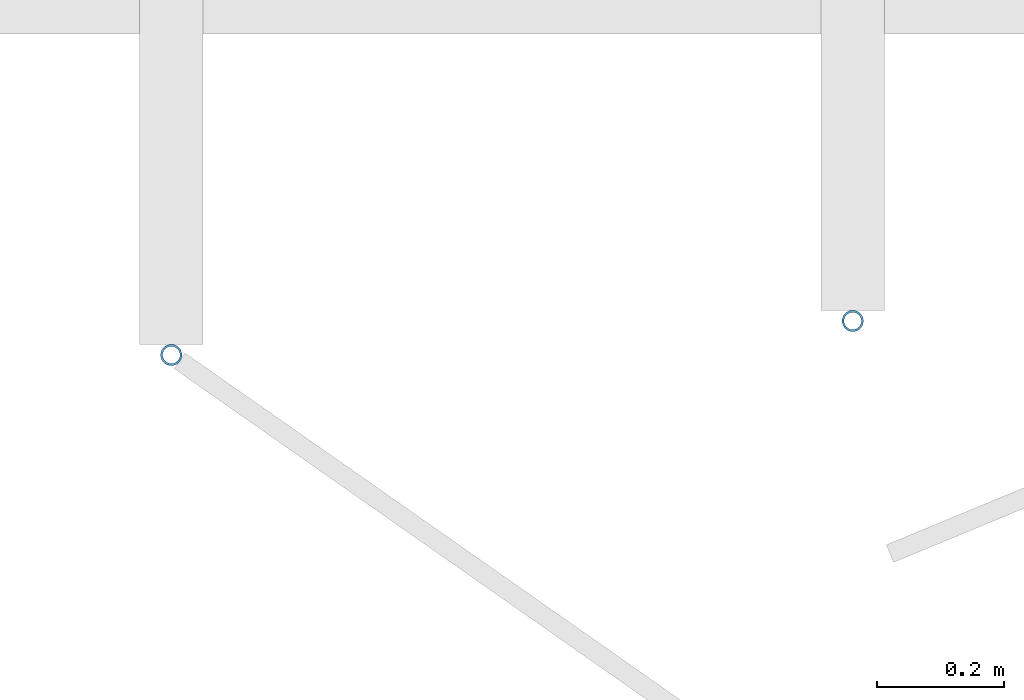
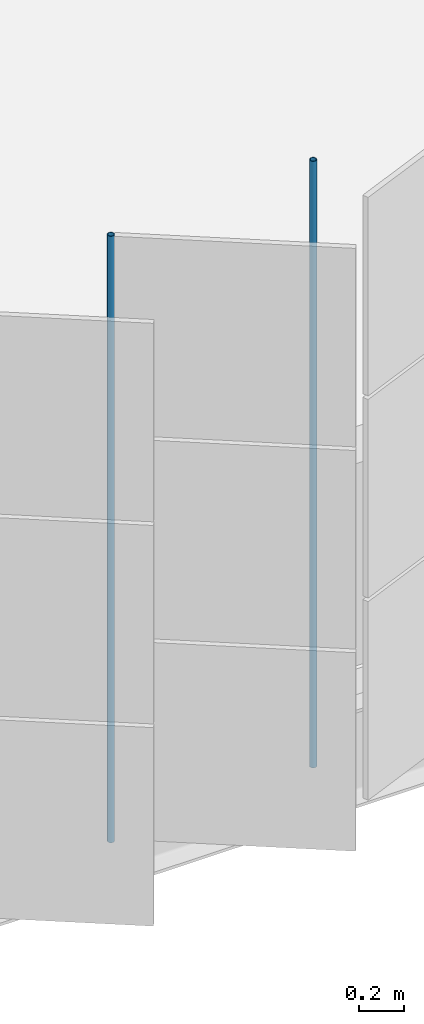
# One storey, part 72 of 199: 2 discrete accessories.
"""IFC4 building model written with IfcOpenShell, lengths in metres."""

from ifc_helpers import new_model, si_unit, direction, frame, origin, origin_2d, place, context, subcontext, project, spatial, hollow_circle, extrude, material, material_profile, profile_set, type_object, element, save


model = new_model("IFC4")

# Units and contexts
model_context = context("Model", 3, precision=1e-05, world=origin(), true_north=direction((0.0, 1.0)))
body_context = subcontext(model_context, "Body", "Model", "MODEL_VIEW")
ifc_project = project(units=[si_unit("LENGTHUNIT", "METRE"), si_unit("AREAUNIT", "SQUARE_METRE"), si_unit("VOLUMEUNIT", "CUBIC_METRE"), si_unit("PLANEANGLEUNIT", "RADIAN"), si_unit("MASSUNIT", "GRAM", prefix="KILO")], contexts=[model_context])

# Site, building, storey
site_placement = place(None, origin())
site = spatial("IfcSite", under=ifc_project, at=site_placement, CompositionType="ELEMENT")
building_placement = place(site_placement, origin())
building = spatial("IfcBuilding", under=site, at=building_placement, Name="Parallax Yard Mobility Hub", CompositionType="ELEMENT")
storey_placement = place(building_placement, frame((0.0, 0.0, 9.89990234375)))
storey = spatial("IfcBuildingStorey", under=building, at=storey_placement, Name="L03", CompositionType="ELEMENT", Elevation=9.89990234375)

# Discrete accessories
ifc_material = material(Name="Steel ASTM A500 Gr C, hot-dip galvanised", Category="steel")
ifc_material_profile = material_profile(ifc_material, hollow_circle(Radius=0.016845703125, WallThickness=0.003173828125, at=origin_2d()), Name="CHS 33.7x3.2")
ifc_profile_set = profile_set([ifc_material_profile], Name="Steel ASTM A500 Gr C, hot-dip galvanised")
discrete_accessory_type = type_object("IfcDiscreteAccessoryType", Name="Hinge post CHS 33.7x3.2", PredefinedType="BRACKET", material=ifc_profile_set)
for number, where, z_axis, x_axis, name in (
    (1, (38.557373046875, 111.89111328125, 0.0), (0.0, 0.0, 1.0), (1.0, 0.0, 0.0), "Hinge post bay 2.2 level L03"),
    (2, (39.62890625, 111.944580078125, 0.0), (0.0, 0.0, 1.0), (1.0, 0.0, 0.0), "Hinge post bay 2.3 level L03"),
):
    element("IfcDiscreteAccessory", number, at=place(storey_placement, frame(where, z_axis=z_axis, x_axis=x_axis)), inside=storey, type_object=discrete_accessory_type, Name=name, PredefinedType="BRACKET", context=body_context, shape_type="SweptSolid", body=[
        extrude(hollow_circle(Radius=0.016845703125, WallThickness=0.003173828125, at=origin_2d()), origin(), (0.0, 0.0, 1.0), 3.300048828125),
    ])

save(model, "model.ifc")
